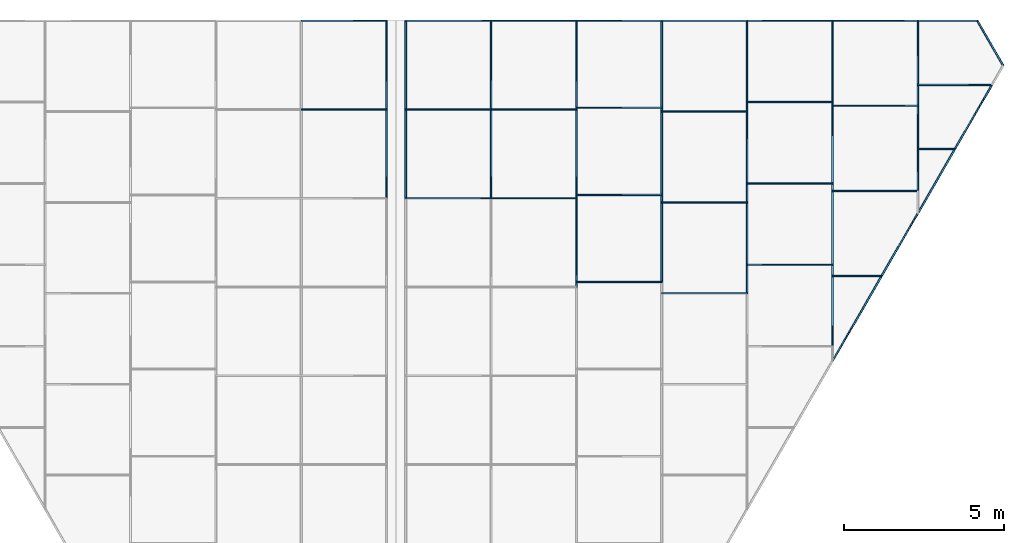
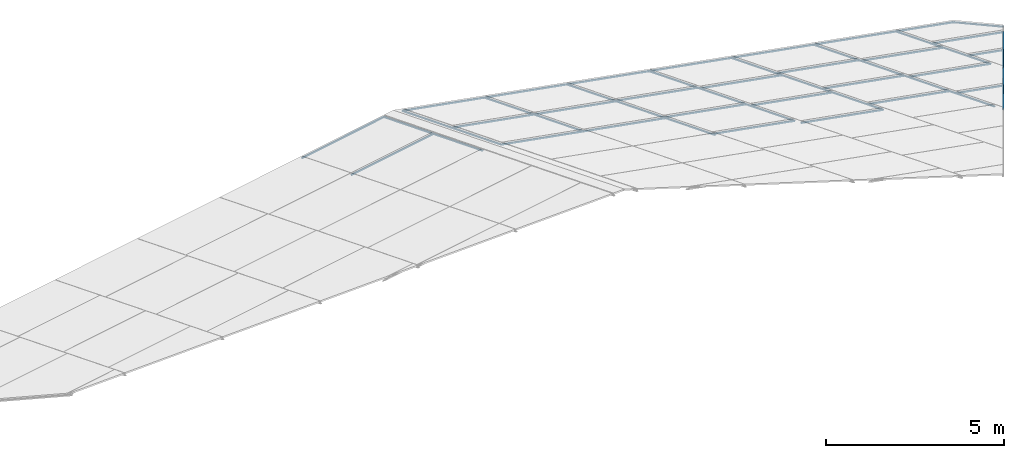
# One storey, part 4 of 12: 53 members, 27 elements without a shape of their own.
"""IFC4 building model written with IfcOpenShell, lengths in metres."""

from ifc_helpers import new_model, si_unit, direction, frame, origin, origin_2d, place, context, subcontext, project, spatial, rectangle, extrude, material, material_profile, profile_set, type_object, element, aggregate, save


model = new_model("IFC4")

# Units and contexts
model_context = context("Model", 3, precision=1e-05, world=origin(), true_north=direction((0.0, 1.0)))
body_context = subcontext(model_context, "Body", "Model", "MODEL_VIEW")
ifc_project = project(units=[si_unit("LENGTHUNIT", "METRE"), si_unit("AREAUNIT", "SQUARE_METRE"), si_unit("VOLUMEUNIT", "CUBIC_METRE"), si_unit("PLANEANGLEUNIT", "RADIAN"), si_unit("MASSUNIT", "GRAM", prefix="KILO")], contexts=[model_context])

# Site, building, storey
site_placement = place(None, origin())
site = spatial("IfcSite", under=ifc_project, at=site_placement, CompositionType="ELEMENT")
building_placement = place(site_placement, origin())
building = spatial("IfcBuilding", under=site, at=building_placement, Name="Aloe Facet Convention Tower", CompositionType="ELEMENT")
storey_placement = place(building_placement, frame((0.0, 0.0, 306.5)))
storey = spatial("IfcBuildingStorey", under=building, at=storey_placement, Name="C6", CompositionType="ELEMENT", Elevation=306.5)

# Curtain wall, member
ifc_material_1 = material(Name="Aluminium, anodised", Category="aluminium")
curtain_wall_type = type_object("IfcCurtainWallType", Name="EV-CW-LANTERN", PredefinedType="USERDEFINED", material=ifc_material_1)
curtain_wall_1_placement = place(storey_placement, origin())
curtain_wall_1 = element("IfcCurtainWall", 1, at=curtain_wall_1_placement, inside=storey, type_object=curtain_wall_type, Name="CW-RW08", ObjectType="ROOF LANTERN GLAZING", PredefinedType="USERDEFINED")
ifc_material_2 = material(Name="Aluminium, anodised", Category="aluminium")
ifc_material_profile_1 = material_profile(ifc_material_2, rectangle(XDim=0.050048828125, YDim=0.0400390625, at=origin_2d()), Name="AL 50x40")
ifc_profile_set_1 = profile_set([ifc_material_profile_1], Name="Aluminium, anodised")
member_type_1 = type_object("IfcMemberType", Name="EV-MULL-LANTERN", PredefinedType="MULLION", material=ifc_profile_set_1)
member_1_placement = place(storey_placement, frame((79.699951171875, 131.719970703125, -7.7841796875), z_axis=(0.0, -0.929133684796, 0.369743959758), x_axis=(1.0, 0.0, 0.0)))
member_1 = element("IfcMember", 2, at=member_1_placement, type_object=member_type_1, Name="Glazing bar W08.3", PredefinedType="MULLION", context=body_context, shape_type="SweptSolid", body=[
    extrude(rectangle(XDim=0.050048828125, YDim=0.0400390625, at=origin_2d()), origin(), (0.0, 0.0, 1.0), 2.99169921875),
])

curtain_wall_2_placement = place(storey_placement, origin())
curtain_wall_2 = element("IfcCurtainWall", 3, at=curtain_wall_2_placement, inside=storey, type_object=curtain_wall_type, Name="CW-RW09", ObjectType="ROOF LANTERN GLAZING", PredefinedType="USERDEFINED")
member_2_placement = place(storey_placement, frame((79.699951171875, 134.5, -8.890625), z_axis=(0.0, -0.929116807554, 0.369786367949), x_axis=(1.0, 0.0, 0.0)))
member_2 = element("IfcMember", 4, at=member_2_placement, type_object=member_type_1, Name="Glazing bar W09.3", PredefinedType="MULLION", context=body_context, shape_type="SweptSolid", body=[
    extrude(rectangle(XDim=0.050048828125, YDim=0.0400390625, at=origin_2d()), origin(), (0.0, 0.0, 1.0), 2.9921875),
])

# Curtain wall, members
curtain_wall_3_placement = place(storey_placement, origin())
curtain_wall_3 = element("IfcCurtainWall", 5, at=curtain_wall_3_placement, inside=storey, type_object=curtain_wall_type, Name="CW-RE08", ObjectType="ROOF LANTERN GLAZING", PredefinedType="USERDEFINED")
member_3_placement = place(storey_placement, frame((80.300048828125, 128.940185546875, -6.677978515625), z_axis=(0.0, 0.929133684796, -0.369743959758), x_axis=(-1.0, 0.0, 0.0)))
member_3 = element("IfcMember", 6, at=member_3_placement, type_object=member_type_1, Name="Glazing bar E08.1", PredefinedType="MULLION", context=body_context, shape_type="SweptSolid", body=[
    extrude(rectangle(XDim=0.050048828125, YDim=0.0400390625, at=origin_2d()), origin(), (0.0, 0.0, 1.0), 2.99169921875),
])
member_4_placement = place(storey_placement, frame((82.97265625, 131.719970703125, -8.265380859375), z_axis=(0.0, -0.929133684796, 0.369743959758), x_axis=(1.0, 0.0, 0.0)))
member_4 = element("IfcMember", 7, at=member_4_placement, type_object=member_type_1, Name="Glazing bar E08.3", PredefinedType="MULLION", context=body_context, shape_type="SweptSolid", body=[
    extrude(rectangle(XDim=0.050048828125, YDim=0.0400390625, at=origin_2d()), origin(), (0.0, 0.0, 1.0), 2.99169921875),
])

curtain_wall_4_placement = place(storey_placement, origin())
curtain_wall_4 = element("IfcCurtainWall", 8, at=curtain_wall_4_placement, inside=storey, type_object=curtain_wall_type, Name="CW-RE09", ObjectType="ROOF LANTERN GLAZING", PredefinedType="USERDEFINED")
member_5_placement = place(storey_placement, frame((82.97265625, 134.5, -9.37158203125), z_axis=(0.0, -0.929144839545, 0.369715927635), x_axis=(1.0, 0.0, 0.0)))
member_5 = element("IfcMember", 9, at=member_5_placement, type_object=member_type_1, Name="Glazing bar E09.1", PredefinedType="MULLION", context=body_context, shape_type="SweptSolid", body=[
    extrude(rectangle(XDim=0.050048828125, YDim=0.0400390625, at=origin_2d()), origin(), (0.0, 0.0, 1.0), 2.991943359375),
])
member_6_placement = place(storey_placement, frame((80.300048828125, 131.719970703125, -7.7841796875), z_axis=(0.0, 0.929116807554, -0.369786367949), x_axis=(-1.0, 0.0, 0.0)))
member_6 = element("IfcMember", 10, at=member_6_placement, type_object=member_type_1, Name="Glazing bar E09.2", PredefinedType="MULLION", context=body_context, shape_type="SweptSolid", body=[
    extrude(rectangle(XDim=0.050048828125, YDim=0.0400390625, at=origin_2d()), origin(), (0.0, 0.0, 1.0), 2.9921875),
])

# Curtain wall, member
curtain_wall_5_placement = place(storey_placement, origin())
curtain_wall_5 = element("IfcCurtainWall", 11, at=curtain_wall_5_placement, inside=storey, type_object=curtain_wall_type, Name="CW-RE16", ObjectType="ROOF LANTERN GLAZING", PredefinedType="USERDEFINED")
member_7_placement = place(storey_placement, frame((85.645263671875, 128.940185546875, -7.64013671875), z_axis=(0.0, -0.929144839545, 0.369715927635), x_axis=(1.0, 0.0, 0.0)))
member_7 = element("IfcMember", 12, at=member_7_placement, type_object=member_type_1, Name="Glazing bar E16.2", PredefinedType="MULLION", context=body_context, shape_type="SweptSolid", body=[
    extrude(rectangle(XDim=0.050048828125, YDim=0.0400390625, at=origin_2d()), origin(), (0.0, 0.0, 1.0), 2.991943359375),
])

curtain_wall_6_placement = place(storey_placement, origin())
curtain_wall_6 = element("IfcCurtainWall", 13, at=curtain_wall_6_placement, inside=storey, type_object=curtain_wall_type, Name="CW-RE17", ObjectType="ROOF LANTERN GLAZING", PredefinedType="USERDEFINED")
member_8_placement = place(storey_placement, frame((85.645263671875, 131.719970703125, -8.746337890625), z_axis=(0.0, -0.929133684796, 0.369743959758), x_axis=(1.0, 0.0, 0.0)))
member_8 = element("IfcMember", 14, at=member_8_placement, type_object=member_type_1, Name="Glazing bar E17.2", PredefinedType="MULLION", context=body_context, shape_type="SweptSolid", body=[
    extrude(rectangle(XDim=0.050048828125, YDim=0.0400390625, at=origin_2d()), origin(), (0.0, 0.0, 1.0), 2.99169921875),
])

curtain_wall_7_placement = place(storey_placement, origin())
curtain_wall_7 = element("IfcCurtainWall", 15, at=curtain_wall_7_placement, inside=storey, type_object=curtain_wall_type, Name="CW-RE18", ObjectType="ROOF LANTERN GLAZING", PredefinedType="USERDEFINED")
member_9_placement = place(storey_placement, frame((85.645263671875, 134.5, -9.852783203125), z_axis=(0.0, -0.929116807554, 0.369786367949), x_axis=(1.0, 0.0, 0.0)))
member_9 = element("IfcMember", 16, at=member_9_placement, type_object=member_type_1, Name="Glazing bar E18.2", PredefinedType="MULLION", context=body_context, shape_type="SweptSolid", body=[
    extrude(rectangle(XDim=0.050048828125, YDim=0.0400390625, at=origin_2d()), origin(), (0.0, 0.0, 1.0), 2.9921875),
])

curtain_wall_8_placement = place(storey_placement, origin())
curtain_wall_8 = element("IfcCurtainWall", 17, at=curtain_wall_8_placement, inside=storey, type_object=curtain_wall_type, Name="CW-RE25", ObjectType="ROOF LANTERN GLAZING", PredefinedType="USERDEFINED")
member_10_placement = place(storey_placement, frame((88.318115234375, 129.044189453125, -8.16259765625), z_axis=(0.0, -0.92915184321, 0.369698326017), x_axis=(1.0, 0.0, 0.0)))
member_10 = element("IfcMember", 18, at=member_10_placement, type_object=member_type_1, Name="Glazing bar E25.2", PredefinedType="MULLION", context=body_context, shape_type="SweptSolid", body=[
    extrude(rectangle(XDim=0.050048828125, YDim=0.0400390625, at=origin_2d()), origin(), (0.0, 0.0, 1.0), 2.93603515625),
])

curtain_wall_9_placement = place(storey_placement, origin())
curtain_wall_9 = element("IfcCurtainWall", 19, at=curtain_wall_9_placement, inside=storey, type_object=curtain_wall_type, Name="CW-RE26", ObjectType="ROOF LANTERN GLAZING", PredefinedType="USERDEFINED")
member_11_placement = place(storey_placement, frame((88.318115234375, 131.77197265625, -9.248291015625), z_axis=(0.0, -0.929111907289, 0.369798680006), x_axis=(1.0, 0.0, 0.0)))
member_11 = element("IfcMember", 20, at=member_11_placement, type_object=member_type_1, Name="Glazing bar E26.2", PredefinedType="MULLION", context=body_context, shape_type="SweptSolid", body=[
    extrude(rectangle(XDim=0.050048828125, YDim=0.0400390625, at=origin_2d()), origin(), (0.0, 0.0, 1.0), 2.935791015625),
])

curtain_wall_10_placement = place(storey_placement, origin())
curtain_wall_10 = element("IfcCurtainWall", 21, at=curtain_wall_10_placement, inside=storey, type_object=curtain_wall_type, Name="CW-RE27", ObjectType="ROOF LANTERN GLAZING", PredefinedType="USERDEFINED")
member_12_placement = place(storey_placement, frame((88.318115234375, 134.5, -10.333740234375), z_axis=(0.0, -0.92915184321, 0.369698326017), x_axis=(1.0, 0.0, 0.0)))
member_12 = element("IfcMember", 22, at=member_12_placement, type_object=member_type_1, Name="Glazing bar E27.2", PredefinedType="MULLION", context=body_context, shape_type="SweptSolid", body=[
    extrude(rectangle(XDim=0.050048828125, YDim=0.0400390625, at=origin_2d()), origin(), (0.0, 0.0, 1.0), 2.93603515625),
])

curtain_wall_11_placement = place(storey_placement, origin())
curtain_wall_11 = element("IfcCurtainWall", 23, at=curtain_wall_11_placement, inside=storey, type_object=curtain_wall_type, Name="CW-RE32", ObjectType="ROOF LANTERN GLAZING", PredefinedType="USERDEFINED")
member_13_placement = place(storey_placement, frame((90.99072265625, 128.807861328125, -8.5498046875), z_axis=(0.0, -0.929129387172, 0.369754759122), x_axis=(1.0, 0.0, 0.0)))
member_13 = element("IfcMember", 24, at=member_13_placement, type_object=member_type_1, Name="Glazing bar E32.2", PredefinedType="MULLION", context=body_context, shape_type="SweptSolid", body=[
    extrude(rectangle(XDim=0.050048828125, YDim=0.0400390625, at=origin_2d()), origin(), (0.0, 0.0, 1.0), 3.06298828125),
])

curtain_wall_12_placement = place(storey_placement, origin())
curtain_wall_12 = element("IfcCurtainWall", 25, at=curtain_wall_12_placement, inside=storey, type_object=curtain_wall_type, Name="CW-RE33", ObjectType="ROOF LANTERN GLAZING", PredefinedType="USERDEFINED")
member_14_placement = place(storey_placement, frame((90.99072265625, 131.654052734375, -9.682373046875), z_axis=(0.0, -0.929140283212, 0.369727378094), x_axis=(1.0, 0.0, 0.0)))
member_14 = element("IfcMember", 26, at=member_14_placement, type_object=member_type_1, Name="Glazing bar E33.2", PredefinedType="MULLION", context=body_context, shape_type="SweptSolid", body=[
    extrude(rectangle(XDim=0.050048828125, YDim=0.0400390625, at=origin_2d()), origin(), (0.0, 0.0, 1.0), 3.063232421875),
])

curtain_wall_13_placement = place(storey_placement, origin())
curtain_wall_13 = element("IfcCurtainWall", 27, at=curtain_wall_13_placement, inside=storey, type_object=curtain_wall_type, Name="CW-RE34", ObjectType="ROOF LANTERN GLAZING", PredefinedType="USERDEFINED")
member_15_placement = place(storey_placement, frame((90.99072265625, 134.5, -10.81494140625), z_axis=(0.0, -0.929129387172, 0.369754759122), x_axis=(1.0, 0.0, 0.0)))
member_15 = element("IfcMember", 28, at=member_15_placement, type_object=member_type_1, Name="Glazing bar E34.2", PredefinedType="MULLION", context=body_context, shape_type="SweptSolid", body=[
    extrude(rectangle(XDim=0.050048828125, YDim=0.0400390625, at=origin_2d()), origin(), (0.0, 0.0, 1.0), 3.06298828125),
])

curtain_wall_14_placement = place(storey_placement, origin())
curtain_wall_14 = element("IfcCurtainWall", 29, at=curtain_wall_14_placement, inside=storey, type_object=curtain_wall_type, Name="CW-RE37", ObjectType="ROOF LANTERN GLAZING", PredefinedType="USERDEFINED")
member_16_placement = place(storey_placement, frame((93.663330078125, 126.853515625, -8.253173828125), z_axis=(0.0, -0.929119747862, 0.369778980112), x_axis=(1.0, 0.0, 0.0)))
member_16 = element("IfcMember", 30, at=member_16_placement, type_object=member_type_1, Name="Glazing bar E37.2", PredefinedType="MULLION", context=body_context, shape_type="SweptSolid", body=[
    extrude(rectangle(XDim=0.050048828125, YDim=0.0400390625, at=origin_2d()), origin(), (0.0, 0.0, 1.0), 2.7431640625),
])

curtain_wall_15_placement = place(storey_placement, origin())
curtain_wall_15 = element("IfcCurtainWall", 31, at=curtain_wall_15_placement, inside=storey, type_object=curtain_wall_type, Name="CW-RE38", ObjectType="ROOF LANTERN GLAZING", PredefinedType="USERDEFINED")
member_17_placement = place(storey_placement, frame((93.663330078125, 129.40234375, -9.267333984375), z_axis=(0.0, -0.929150322004, 0.369702149196), x_axis=(1.0, 0.0, 0.0)))
member_17 = element("IfcMember", 32, at=member_17_placement, type_object=member_type_1, Name="Glazing bar E38.2", PredefinedType="MULLION", context=body_context, shape_type="SweptSolid", body=[
    extrude(rectangle(XDim=0.050048828125, YDim=0.0400390625, at=origin_2d()), origin(), (0.0, 0.0, 1.0), 2.7431640625),
])

curtain_wall_16_placement = place(storey_placement, origin())
curtain_wall_16 = element("IfcCurtainWall", 33, at=curtain_wall_16_placement, inside=storey, type_object=curtain_wall_type, Name="CW-RE39", ObjectType="ROOF LANTERN GLAZING", PredefinedType="USERDEFINED")
member_18_placement = place(storey_placement, frame((93.663330078125, 131.951171875, -10.28173828125), z_axis=(0.0, -0.929119747862, 0.369778980112), x_axis=(1.0, 0.0, 0.0)))
member_18 = element("IfcMember", 34, at=member_18_placement, type_object=member_type_1, Name="Glazing bar E39.2", PredefinedType="MULLION", context=body_context, shape_type="SweptSolid", body=[
    extrude(rectangle(XDim=0.050048828125, YDim=0.0400390625, at=origin_2d()), origin(), (0.0, 0.0, 1.0), 2.7431640625),
])

curtain_wall_17_placement = place(storey_placement, origin())
curtain_wall_17 = element("IfcCurtainWall", 35, at=curtain_wall_17_placement, inside=storey, type_object=curtain_wall_type, Name="CW-RE40", ObjectType="ROOF LANTERN GLAZING", PredefinedType="USERDEFINED")
member_19_placement = place(storey_placement, frame((93.663330078125, 134.5, -11.2958984375), z_axis=(0.0, -0.929150322004, 0.369702149196), x_axis=(1.0, 0.0, 0.0)))
member_19 = element("IfcMember", 36, at=member_19_placement, type_object=member_type_1, Name="Glazing bar E40.2", PredefinedType="MULLION", context=body_context, shape_type="SweptSolid", body=[
    extrude(rectangle(XDim=0.050048828125, YDim=0.0400390625, at=origin_2d()), origin(), (0.0, 0.0, 1.0), 2.7431640625),
])

curtain_wall_18_placement = place(storey_placement, origin())
curtain_wall_18 = element("IfcCurtainWall", 37, at=curtain_wall_18_placement, inside=storey, type_object=curtain_wall_type, Name="CW-RE41", ObjectType="ROOF LANTERN GLAZING", PredefinedType="USERDEFINED")
member_20_placement = place(storey_placement, frame((95.20263671875, 126.502197265625, -8.390380859375), z_axis=(-0.458571788995, -0.794227428363, 0.39864107462), x_axis=(0.866013897511, -0.50001992892, 0.0)))
member_20 = element("IfcMember", 38, at=member_20_placement, type_object=member_type_1, Name="Glazing bar E41.2", PredefinedType="MULLION", context=body_context, shape_type="SweptSolid", body=[
    extrude(rectangle(XDim=0.050048828125, YDim=0.0400390625, at=origin_2d()), origin(), (0.0, 0.0, 1.0), 3.356689453125),
])

curtain_wall_19_placement = place(storey_placement, origin())
curtain_wall_19 = element("IfcCurtainWall", 39, at=curtain_wall_19_placement, inside=storey, type_object=curtain_wall_type, Name="CW-RE42", ObjectType="ROOF LANTERN GLAZING", PredefinedType="USERDEFINED")
member_21_placement = place(storey_placement, frame((96.336181640625, 128.465576171875, -9.375732421875), z_axis=(-0.458556978189, -0.794252685462, 0.398607788924), x_axis=(0.866027775618, -0.499995891842, 0.0)))
member_21 = element("IfcMember", 40, at=member_21_placement, type_object=member_type_1, Name="Glazing bar E42.1", PredefinedType="MULLION", context=body_context, shape_type="SweptSolid", body=[
    extrude(rectangle(XDim=0.050048828125, YDim=0.0400390625, at=origin_2d()), origin(), (0.0, 0.0, 1.0), 2.471923828125),
])

curtain_wall_20_placement = place(storey_placement, origin())
curtain_wall_20 = element("IfcCurtainWall", 41, at=curtain_wall_20_placement, inside=storey, type_object=curtain_wall_type, Name="CW-RE43", ObjectType="ROOF LANTERN GLAZING", PredefinedType="USERDEFINED")
member_22_placement = place(storey_placement, frame((96.336181640625, 131.833984375, -10.716064453125), z_axis=(0.0, -0.929138354952, 0.369732223855), x_axis=(1.0, 0.0, 0.0)))
member_22 = element("IfcMember", 42, at=member_22_placement, type_object=member_type_1, Name="Glazing bar E43.2", PredefinedType="MULLION", context=body_context, shape_type="SweptSolid", body=[
    extrude(rectangle(XDim=0.050048828125, YDim=0.0400390625, at=origin_2d()), origin(), (0.0, 0.0, 1.0), 2.869140625),
])

curtain_wall_21_placement = place(storey_placement, origin())
curtain_wall_21 = element("IfcCurtainWall", 43, at=curtain_wall_21_placement, inside=storey, type_object=curtain_wall_type, Name="CW-RE44", ObjectType="ROOF LANTERN GLAZING", PredefinedType="USERDEFINED")
member_23_placement = place(storey_placement, frame((96.336181640625, 134.5, -11.777099609375), z_axis=(0.0, -0.92912075587, 0.369776447345), x_axis=(1.0, 0.0, 0.0)))
member_23 = element("IfcMember", 44, at=member_23_placement, type_object=member_type_1, Name="Glazing bar E44.2", PredefinedType="MULLION", context=body_context, shape_type="SweptSolid", body=[
    extrude(rectangle(XDim=0.050048828125, YDim=0.0400390625, at=origin_2d()), origin(), (0.0, 0.0, 1.0), 2.869384765625),
])

curtain_wall_22_placement = place(storey_placement, origin())
curtain_wall_22 = element("IfcCurtainWall", 45, at=curtain_wall_22_placement, inside=storey, type_object=curtain_wall_type, Name="CW-RE45", ObjectType="ROOF LANTERN GLAZING", PredefinedType="USERDEFINED")
member_24_placement = place(storey_placement, frame((97.49755859375, 130.47705078125, -10.38525390625), z_axis=(-0.458574682972, -0.79423939731, 0.398613898274), x_axis=(0.866015794002, -0.500016644261, 0.0)))
member_24 = element("IfcMember", 46, at=member_24_placement, type_object=member_type_1, Name="Glazing bar E45.2", PredefinedType="MULLION", context=body_context, shape_type="SweptSolid", body=[
    extrude(rectangle(XDim=0.050048828125, YDim=0.0400390625, at=origin_2d()), origin(), (0.0, 0.0, 1.0), 2.532470703125),
])

curtain_wall_23_placement = place(storey_placement, origin())
curtain_wall_23 = element("IfcCurtainWall", 47, at=curtain_wall_23_placement, inside=storey, type_object=curtain_wall_type, Name="CW-RE46", ObjectType="ROOF LANTERN GLAZING", PredefinedType="USERDEFINED")
member_25_placement = place(storey_placement, frame((98.65869140625, 132.488525390625, -11.39453125), z_axis=(-0.458516168848, -0.794305028415, 0.398550429356), x_axis=(0.866061308544, -0.499937805976, 0.0)))
member_25 = element("IfcMember", 48, at=member_25_placement, type_object=member_type_1, Name="Glazing bar E46.2", PredefinedType="MULLION", context=body_context, shape_type="SweptSolid", body=[
    extrude(rectangle(XDim=0.050048828125, YDim=0.0400390625, at=origin_2d()), origin(), (0.0, 0.0, 1.0), 2.532470703125),
])

curtain_wall_24_placement = place(storey_placement, origin())
curtain_wall_24 = element("IfcCurtainWall", 49, at=curtain_wall_24_placement, inside=storey, type_object=curtain_wall_type, Name="CW-RE47", ObjectType="ROOF LANTERN GLAZING", PredefinedType="USERDEFINED")
member_26_placement = place(storey_placement, frame((98.197509765625, 134.5, -12.112060546875), z_axis=(0.484520085228, -0.839271023344, 0.246707187543), x_axis=(0.866040267459, 0.499974254476, 0.0)))
member_26 = element("IfcMember", 50, at=member_26_placement, type_object=member_type_1, Name="Glazing bar E47.3", PredefinedType="MULLION", context=body_context, shape_type="SweptSolid", body=[
    extrude(rectangle(XDim=0.050048828125, YDim=0.0400390625, at=origin_2d()), origin(), (0.0, 0.0, 1.0), 1.67431640625),
])

# Member
ifc_material_3 = material(Name="Aluminium, anodised", Category="aluminium")
ifc_material_profile_2 = material_profile(ifc_material_3, rectangle(XDim=0.0400390625, YDim=0.050048828125, at=origin_2d()), Name="AL 40x50")
ifc_profile_set_2 = profile_set([ifc_material_profile_2], Name="Aluminium, anodised")
member_type_2 = type_object("IfcMemberType", Name="EV-TRAN-LANTERN", PredefinedType="USERDEFINED", material=ifc_profile_set_2)
member_27_placement = place(storey_placement, frame((77.02734375, 131.719970703125, -8.265380859375), z_axis=(0.984174858465, 0.0, 0.177200022475), x_axis=(0.0, 1.0, 0.0)))
member_27 = element("IfcMember", 51, at=member_27_placement, type_object=member_type_2, Name="Glazing bar W08.2", ObjectType="TRANSOM", PredefinedType="USERDEFINED", context=body_context, shape_type="SweptSolid", body=[
    extrude(rectangle(XDim=0.0400390625, YDim=0.050048828125, at=origin_2d()), origin(), (0.0, 0.0, 1.0), 2.715576171875),
])

aggregate(curtain_wall_1, [member_27, member_1])

member_28_placement = place(storey_placement, frame((77.02734375, 134.5, -9.37158203125), z_axis=(0.984190533675, 0.0, 0.177112939741), x_axis=(0.0, 1.0, 0.0)))
member_28 = element("IfcMember", 52, at=member_28_placement, type_object=member_type_2, Name="Glazing bar W09.2", ObjectType="TRANSOM", PredefinedType="USERDEFINED", context=body_context, shape_type="SweptSolid", body=[
    extrude(rectangle(XDim=0.0400390625, YDim=0.050048828125, at=origin_2d()), origin(), (0.0, 0.0, 1.0), 2.715576171875),
])

aggregate(curtain_wall_2, [member_28, member_2])

# Curtain wall, member
curtain_wall_25_placement = place(storey_placement, origin())
curtain_wall_25 = element("IfcCurtainWall", 53, at=curtain_wall_25_placement, inside=storey, type_object=curtain_wall_type, Name="CW-RE07", ObjectType="ROOF LANTERN GLAZING", PredefinedType="USERDEFINED")
member_29_placement = place(storey_placement, frame((80.300048828125, 128.940185546875, -6.677978515625), z_axis=(0.984174858465, 0.0, -0.177200022475), x_axis=(0.0, 1.0, 0.0)))
member_29 = element("IfcMember", 54, at=member_29_placement, type_object=member_type_2, Name="Glazing bar E07.2", ObjectType="TRANSOM", PredefinedType="USERDEFINED", context=body_context, shape_type="SweptSolid", body=[
    extrude(rectangle(XDim=0.0400390625, YDim=0.050048828125, at=origin_2d()), origin(), (0.0, 0.0, 1.0), 2.715576171875),
])
aggregate(curtain_wall_25, [member_29])

# Member
member_30_placement = place(storey_placement, frame((80.300048828125, 131.719970703125, -7.7841796875), z_axis=(0.984174858465, 0.0, -0.177200022475), x_axis=(0.0, 1.0, 0.0)))
member_30 = element("IfcMember", 55, at=member_30_placement, type_object=member_type_2, Name="Glazing bar E08.2", ObjectType="TRANSOM", PredefinedType="USERDEFINED", context=body_context, shape_type="SweptSolid", body=[
    extrude(rectangle(XDim=0.0400390625, YDim=0.050048828125, at=origin_2d()), origin(), (0.0, 0.0, 1.0), 2.715576171875),
])

aggregate(curtain_wall_3, [member_3, member_30, member_4])

member_31_placement = place(storey_placement, frame((80.300048828125, 134.5, -8.890625), z_axis=(0.984190533675, 0.0, -0.177112939741), x_axis=(0.0, 1.0, 0.0)))
member_31 = element("IfcMember", 56, at=member_31_placement, type_object=member_type_2, Name="Glazing bar E09.3", ObjectType="TRANSOM", PredefinedType="USERDEFINED", context=body_context, shape_type="SweptSolid", body=[
    extrude(rectangle(XDim=0.0400390625, YDim=0.050048828125, at=origin_2d()), origin(), (0.0, 0.0, 1.0), 2.715576171875),
])

aggregate(curtain_wall_4, [member_5, member_6, member_31])

member_32_placement = place(storey_placement, frame((82.97265625, 128.940185546875, -7.1591796875), z_axis=(0.984190533675, 0.0, -0.177112939741), x_axis=(0.0, 1.0, 0.0)))
member_32 = element("IfcMember", 57, at=member_32_placement, type_object=member_type_2, Name="Glazing bar E16.1", ObjectType="TRANSOM", PredefinedType="USERDEFINED", context=body_context, shape_type="SweptSolid", body=[
    extrude(rectangle(XDim=0.0400390625, YDim=0.050048828125, at=origin_2d()), origin(), (0.0, 0.0, 1.0), 2.715576171875),
])

aggregate(curtain_wall_5, [member_32, member_7])

member_33_placement = place(storey_placement, frame((82.97265625, 131.719970703125, -8.265380859375), z_axis=(0.984190533675, 0.0, -0.177112939741), x_axis=(0.0, 1.0, 0.0)))
member_33 = element("IfcMember", 58, at=member_33_placement, type_object=member_type_2, Name="Glazing bar E17.1", ObjectType="TRANSOM", PredefinedType="USERDEFINED", context=body_context, shape_type="SweptSolid", body=[
    extrude(rectangle(XDim=0.0400390625, YDim=0.050048828125, at=origin_2d()), origin(), (0.0, 0.0, 1.0), 2.715576171875),
])

aggregate(curtain_wall_6, [member_33, member_8])

member_34_placement = place(storey_placement, frame((82.97265625, 134.5, -9.37158203125), z_axis=(0.984174858465, 0.0, -0.177200022475), x_axis=(0.0, 1.0, 0.0)))
member_34 = element("IfcMember", 59, at=member_34_placement, type_object=member_type_2, Name="Glazing bar E18.1", ObjectType="TRANSOM", PredefinedType="USERDEFINED", context=body_context, shape_type="SweptSolid", body=[
    extrude(rectangle(XDim=0.0400390625, YDim=0.050048828125, at=origin_2d()), origin(), (0.0, 0.0, 1.0), 2.715576171875),
])

aggregate(curtain_wall_7, [member_34, member_9])

# Curtain wall, member
curtain_wall_26_placement = place(storey_placement, origin())
curtain_wall_26 = element("IfcCurtainWall", 60, at=curtain_wall_26_placement, inside=storey, type_object=curtain_wall_type, Name="CW-RE24", ObjectType="ROOF LANTERN GLAZING", PredefinedType="USERDEFINED")
member_35_placement = place(storey_placement, frame((85.645263671875, 126.316162109375, -6.595947265625), z_axis=(0.98417768105, 0.0, -0.177184345027), x_axis=(0.0, 1.0, 0.0)))
member_35 = element("IfcMember", 61, at=member_35_placement, type_object=member_type_2, Name="Glazing bar E24.1", ObjectType="TRANSOM", PredefinedType="USERDEFINED", context=body_context, shape_type="SweptSolid", body=[
    extrude(rectangle(XDim=0.0400390625, YDim=0.050048828125, at=origin_2d()), origin(), (0.0, 0.0, 1.0), 2.7158203125),
])
aggregate(curtain_wall_26, [member_35])

# Member
member_36_placement = place(storey_placement, frame((85.645263671875, 129.044189453125, -7.681640625), z_axis=(0.984193353532, 0.0, -0.177097269497), x_axis=(0.0, 1.0, 0.0)))
member_36 = element("IfcMember", 62, at=member_36_placement, type_object=member_type_2, Name="Glazing bar E25.1", ObjectType="TRANSOM", PredefinedType="USERDEFINED", context=body_context, shape_type="SweptSolid", body=[
    extrude(rectangle(XDim=0.0400390625, YDim=0.050048828125, at=origin_2d()), origin(), (0.0, 0.0, 1.0), 2.7158203125),
])

aggregate(curtain_wall_8, [member_36, member_10])

member_37_placement = place(storey_placement, frame((85.645263671875, 131.77197265625, -8.76708984375), z_axis=(0.98417768105, 0.0, -0.177184345027), x_axis=(0.0, 1.0, 0.0)))
member_37 = element("IfcMember", 63, at=member_37_placement, type_object=member_type_2, Name="Glazing bar E26.1", ObjectType="TRANSOM", PredefinedType="USERDEFINED", context=body_context, shape_type="SweptSolid", body=[
    extrude(rectangle(XDim=0.0400390625, YDim=0.050048828125, at=origin_2d()), origin(), (0.0, 0.0, 1.0), 2.7158203125),
])

aggregate(curtain_wall_9, [member_37, member_11])

member_38_placement = place(storey_placement, frame((85.645263671875, 134.5, -9.852783203125), z_axis=(0.984193353532, 0.0, -0.177097269497), x_axis=(0.0, 1.0, 0.0)))
member_38 = element("IfcMember", 64, at=member_38_placement, type_object=member_type_2, Name="Glazing bar E27.1", ObjectType="TRANSOM", PredefinedType="USERDEFINED", context=body_context, shape_type="SweptSolid", body=[
    extrude(rectangle(XDim=0.0400390625, YDim=0.050048828125, at=origin_2d()), origin(), (0.0, 0.0, 1.0), 2.7158203125),
])

aggregate(curtain_wall_10, [member_38, member_12])

# Curtain wall, member
curtain_wall_27_placement = place(storey_placement, origin())
curtain_wall_27 = element("IfcCurtainWall", 65, at=curtain_wall_27_placement, inside=storey, type_object=curtain_wall_type, Name="CW-RE31", ObjectType="ROOF LANTERN GLAZING", PredefinedType="USERDEFINED")
member_39_placement = place(storey_placement, frame((88.318115234375, 125.9619140625, -6.93603515625), z_axis=(0.984174858465, 0.0, -0.177200022475), x_axis=(0.0, 1.0, 0.0)))
member_39 = element("IfcMember", 66, at=member_39_placement, type_object=member_type_2, Name="Glazing bar E31.1", ObjectType="TRANSOM", PredefinedType="USERDEFINED", context=body_context, shape_type="SweptSolid", body=[
    extrude(rectangle(XDim=0.0400390625, YDim=0.050048828125, at=origin_2d()), origin(), (0.0, 0.0, 1.0), 2.715576171875),
])
aggregate(curtain_wall_27, [member_39])

# Member
member_40_placement = place(storey_placement, frame((88.318115234375, 128.807861328125, -8.068603515625), z_axis=(0.984174858465, 0.0, -0.177200022475), x_axis=(0.0, 1.0, 0.0)))
member_40 = element("IfcMember", 67, at=member_40_placement, type_object=member_type_2, Name="Glazing bar E32.1", ObjectType="TRANSOM", PredefinedType="USERDEFINED", context=body_context, shape_type="SweptSolid", body=[
    extrude(rectangle(XDim=0.0400390625, YDim=0.050048828125, at=origin_2d()), origin(), (0.0, 0.0, 1.0), 2.715576171875),
])

aggregate(curtain_wall_11, [member_40, member_13])

member_41_placement = place(storey_placement, frame((88.318115234375, 131.654052734375, -9.201171875), z_axis=(0.984174858465, 0.0, -0.177200022475), x_axis=(0.0, 1.0, 0.0)))
member_41 = element("IfcMember", 68, at=member_41_placement, type_object=member_type_2, Name="Glazing bar E33.1", ObjectType="TRANSOM", PredefinedType="USERDEFINED", context=body_context, shape_type="SweptSolid", body=[
    extrude(rectangle(XDim=0.0400390625, YDim=0.050048828125, at=origin_2d()), origin(), (0.0, 0.0, 1.0), 2.715576171875),
])

aggregate(curtain_wall_12, [member_41, member_14])

member_42_placement = place(storey_placement, frame((88.318115234375, 134.5, -10.333740234375), z_axis=(0.984174858465, 0.0, -0.177200022475), x_axis=(0.0, 1.0, 0.0)))
member_42 = element("IfcMember", 69, at=member_42_placement, type_object=member_type_2, Name="Glazing bar E34.1", ObjectType="TRANSOM", PredefinedType="USERDEFINED", context=body_context, shape_type="SweptSolid", body=[
    extrude(rectangle(XDim=0.0400390625, YDim=0.050048828125, at=origin_2d()), origin(), (0.0, 0.0, 1.0), 2.715576171875),
])

aggregate(curtain_wall_13, [member_42, member_15])

member_43_placement = place(storey_placement, frame((90.99072265625, 126.853515625, -7.77197265625), z_axis=(0.984174858465, 0.0, -0.177200022475), x_axis=(0.0, 1.0, 0.0)))
member_43 = element("IfcMember", 70, at=member_43_placement, type_object=member_type_2, Name="Glazing bar E37.1", ObjectType="TRANSOM", PredefinedType="USERDEFINED", context=body_context, shape_type="SweptSolid", body=[
    extrude(rectangle(XDim=0.0400390625, YDim=0.050048828125, at=origin_2d()), origin(), (0.0, 0.0, 1.0), 2.715576171875),
])

aggregate(curtain_wall_14, [member_43, member_16])

member_44_placement = place(storey_placement, frame((90.99072265625, 129.40234375, -8.786376953125), z_axis=(0.984190533675, 0.0, -0.177112939741), x_axis=(0.0, 1.0, 0.0)))
member_44 = element("IfcMember", 71, at=member_44_placement, type_object=member_type_2, Name="Glazing bar E38.1", ObjectType="TRANSOM", PredefinedType="USERDEFINED", context=body_context, shape_type="SweptSolid", body=[
    extrude(rectangle(XDim=0.0400390625, YDim=0.050048828125, at=origin_2d()), origin(), (0.0, 0.0, 1.0), 2.715576171875),
])

aggregate(curtain_wall_15, [member_44, member_17])

member_45_placement = place(storey_placement, frame((90.99072265625, 131.951171875, -9.800537109375), z_axis=(0.984174858465, 0.0, -0.177200022475), x_axis=(0.0, 1.0, 0.0)))
member_45 = element("IfcMember", 72, at=member_45_placement, type_object=member_type_2, Name="Glazing bar E39.1", ObjectType="TRANSOM", PredefinedType="USERDEFINED", context=body_context, shape_type="SweptSolid", body=[
    extrude(rectangle(XDim=0.0400390625, YDim=0.050048828125, at=origin_2d()), origin(), (0.0, 0.0, 1.0), 2.715576171875),
])

aggregate(curtain_wall_16, [member_45, member_18])

member_46_placement = place(storey_placement, frame((90.99072265625, 134.5, -10.81494140625), z_axis=(0.984190533675, 0.0, -0.177112939741), x_axis=(0.0, 1.0, 0.0)))
member_46 = element("IfcMember", 73, at=member_46_placement, type_object=member_type_2, Name="Glazing bar E40.1", ObjectType="TRANSOM", PredefinedType="USERDEFINED", context=body_context, shape_type="SweptSolid", body=[
    extrude(rectangle(XDim=0.0400390625, YDim=0.050048828125, at=origin_2d()), origin(), (0.0, 0.0, 1.0), 2.715576171875),
])

aggregate(curtain_wall_17, [member_46, member_19])

member_47_placement = place(storey_placement, frame((93.663330078125, 126.502197265625, -8.11328125), z_axis=(0.984180602321, 0.0, -0.177168117944), x_axis=(0.0, 1.0, 0.0)))
member_47 = element("IfcMember", 74, at=member_47_placement, type_object=member_type_2, Name="Glazing bar E41.1", ObjectType="TRANSOM", PredefinedType="USERDEFINED", context=body_context, shape_type="SweptSolid", body=[
    extrude(rectangle(XDim=0.0400390625, YDim=0.050048828125, at=origin_2d()), origin(), (0.0, 0.0, 1.0), 1.56396484375),
])

aggregate(curtain_wall_18, [member_47, member_20])

member_48_placement = place(storey_placement, frame((93.663330078125, 129.168212890625, -9.174072265625), z_axis=(0.98417768105, 0.0, -0.177184345027), x_axis=(0.0, 1.0, 0.0)))
member_48 = element("IfcMember", 75, at=member_48_placement, type_object=member_type_2, Name="Glazing bar E42.2", ObjectType="TRANSOM", PredefinedType="USERDEFINED", context=body_context, shape_type="SweptSolid", body=[
    extrude(rectangle(XDim=0.0400390625, YDim=0.050048828125, at=origin_2d()), origin(), (0.0, 0.0, 1.0), 2.7158203125),
])

aggregate(curtain_wall_19, [member_21, member_48])

member_49_placement = place(storey_placement, frame((93.663330078125, 131.833984375, -10.235107421875), z_axis=(0.984193353532, 0.0, -0.177097269497), x_axis=(0.0, 1.0, 0.0)))
member_49 = element("IfcMember", 76, at=member_49_placement, type_object=member_type_2, Name="Glazing bar E43.1", ObjectType="TRANSOM", PredefinedType="USERDEFINED", context=body_context, shape_type="SweptSolid", body=[
    extrude(rectangle(XDim=0.0400390625, YDim=0.050048828125, at=origin_2d()), origin(), (0.0, 0.0, 1.0), 2.7158203125),
])

aggregate(curtain_wall_20, [member_49, member_22])

member_50_placement = place(storey_placement, frame((93.663330078125, 134.5, -11.2958984375), z_axis=(0.98417768105, 0.0, -0.177184345027), x_axis=(0.0, 1.0, 0.0)))
member_50 = element("IfcMember", 77, at=member_50_placement, type_object=member_type_2, Name="Glazing bar E44.1", ObjectType="TRANSOM", PredefinedType="USERDEFINED", context=body_context, shape_type="SweptSolid", body=[
    extrude(rectangle(XDim=0.0400390625, YDim=0.050048828125, at=origin_2d()), origin(), (0.0, 0.0, 1.0), 2.7158203125),
])

aggregate(curtain_wall_21, [member_50, member_23])

member_51_placement = place(storey_placement, frame((96.336181640625, 130.47705078125, -10.176025390625), z_axis=(0.984156620422, 0.0, -0.177301287303), x_axis=(0.0, 1.0, 0.0)))
member_51 = element("IfcMember", 78, at=member_51_placement, type_object=member_type_2, Name="Glazing bar E45.1", ObjectType="TRANSOM", PredefinedType="USERDEFINED", context=body_context, shape_type="SweptSolid", body=[
    extrude(rectangle(XDim=0.0400390625, YDim=0.050048828125, at=origin_2d()), origin(), (0.0, 0.0, 1.0), 1.18017578125),
])

aggregate(curtain_wall_22, [member_51, member_24])

member_52_placement = place(storey_placement, frame((96.336181640625, 132.488525390625, -10.9765625), z_axis=(0.984189456266, 0.0, -0.17711892664), x_axis=(0.0, 1.0, 0.0)))
member_52 = element("IfcMember", 79, at=member_52_placement, type_object=member_type_2, Name="Glazing bar E46.1", ObjectType="TRANSOM", PredefinedType="USERDEFINED", context=body_context, shape_type="SweptSolid", body=[
    extrude(rectangle(XDim=0.0400390625, YDim=0.050048828125, at=origin_2d()), origin(), (0.0, 0.0, 1.0), 2.35986328125),
])

aggregate(curtain_wall_23, [member_52, member_25])

member_53_placement = place(storey_placement, frame((96.336181640625, 134.5, -11.777099609375), z_axis=(0.984190525453, 0.0, -0.17711298543), x_axis=(0.0, 1.0, 0.0)))
member_53 = element("IfcMember", 80, at=member_53_placement, type_object=member_type_2, Name="Glazing bar E47.2", ObjectType="TRANSOM", PredefinedType="USERDEFINED", context=body_context, shape_type="SweptSolid", body=[
    extrude(rectangle(XDim=0.0400390625, YDim=0.050048828125, at=origin_2d()), origin(), (0.0, 0.0, 1.0), 1.89111328125),
])

aggregate(curtain_wall_24, [member_53, member_26])

save(model, "model.ifc")
